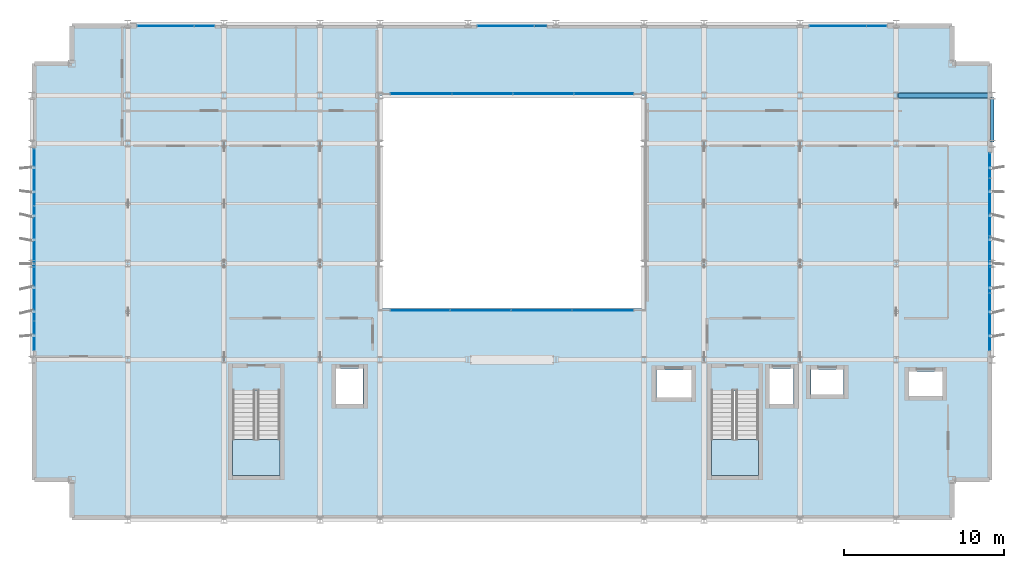
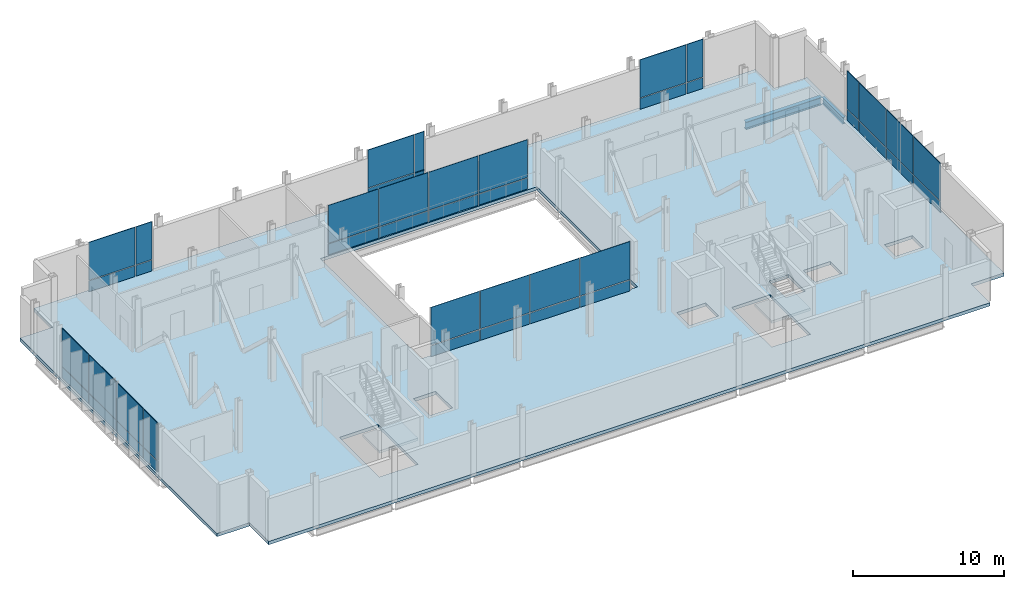
# One storey, part 23 of 32: 44 plates, 3 slabs, 2 beams, 1 member, 9 elements without a shape of their own.
"""IFC4 building model written with IfcOpenShell, lengths in metres."""

import ifcopenshell
import ifcopenshell.guid

model = None  # the IFC model being written
_history = None  # IfcOwnerHistory: only IFC2X3 demands one
_inside = {}  # id of a spatial element -> (the spatial element, [elements in it])
_under = {}  # id of a project, library or spatial element -> (it, [spatial elements below it])
_declared = {}  # id of a project -> (the project, [libraries it declares])
_typed = {}  # id of a type object -> (the type object, [elements of that type])
_made_of = {}  # id of a material, layer set ... -> (it, [elements and type objects made of it])


def new_model(schema):
    """Start an empty IFC model of exactly this schema.

    Asked for "IFC4X3", IfcOpenShell would pick the latest addendum, in which some entities
    have other attributes; the version numbers below select the first issue.
    IFC2X3 requires an IfcOwnerHistory on every rooted entity: one is made here for all.
    """
    global model, _history
    if schema == "IFC4X3":
        model = ifcopenshell.file(schema_version=(4, 3, 0, 0))
    else:
        model = ifcopenshell.file(schema=schema)
    _inside.clear()
    _under.clear()
    _declared.clear()
    _typed.clear()
    _made_of.clear()
    _history = None
    if model.schema == "IFC2X3":
        org = make("IfcOrganization", Name="unknown")
        user = make(
            "IfcPersonAndOrganization",
            ThePerson=make("IfcPerson", FamilyName="unknown"),
            TheOrganization=org,
        )
        app = make(
            "IfcApplication",
            ApplicationDeveloper=org,
            Version="unknown",
            ApplicationFullName="unknown",
            ApplicationIdentifier="unknown",
        )
        _history = make(
            "IfcOwnerHistory",
            OwningUser=user,
            OwningApplication=app,
            ChangeAction="ADDED",
            CreationDate=0,
        )
    return model


def make(cls, **values):
    """One entity of the class cls with the attributes given. An attribute that is None is left unset."""
    return model.create_entity(
        cls, **{name: value for name, value in values.items() if value is not None}
    )


def rooted(cls, **values):
    """An entity with a GlobalId (a new one), such as an element, a storey or a relation."""
    return make(cls, GlobalId=ifcopenshell.guid.new(), OwnerHistory=_history, **values)


def si_unit(unit_type, name, prefix=None):
    """IfcSIUnit, for example si_unit("LENGTHUNIT", "METRE", prefix="MILLI")."""
    return make("IfcSIUnit", UnitType=unit_type, Prefix=prefix, Name=name)


def assignment(units):
    """IfcUnitAssignment: the units of a project."""
    return None if units is None else make("IfcUnitAssignment", Units=units)


def point(xyz):
    """IfcCartesianPoint."""
    return None if xyz is None else make("IfcCartesianPoint", Coordinates=xyz)


def direction(xyz):
    """IfcDirection."""
    return None if xyz is None else make("IfcDirection", DirectionRatios=xyz)


def frame(location, z_axis=None, x_axis=None):
    """IfcAxis2Placement3D, a coordinate frame: its origin and axes. An axis left out is left unset."""
    return make(
        "IfcAxis2Placement3D",
        Location=point(location),
        Axis=direction(z_axis),
        RefDirection=direction(x_axis),
    )


def frame_2d(location, x_axis=None):
    """IfcAxis2Placement2D, a coordinate frame in the plane: its origin and x axis."""
    return make(
        "IfcAxis2Placement2D", Location=point(location), RefDirection=direction(x_axis)
    )


def origin():
    """The frame at (0, 0, 0) with its axes left unset."""
    return frame((0.0, 0.0, 0.0))


def origin_2d():
    """The frame at (0, 0) in the plane with its x axis left unset."""
    return frame_2d((0.0, 0.0))


def place(relative_to, where):
    """IfcLocalPlacement: puts the frame where relative to a parent placement (None: the world)."""
    return make(
        "IfcLocalPlacement", PlacementRelTo=relative_to, RelativePlacement=where
    )


def context(
    kind, dimensions, precision=None, world=None, true_north=None, identifier=None
):
    """IfcGeometricRepresentationContext, for example the 3D "Model" context."""
    return make(
        "IfcGeometricRepresentationContext",
        ContextIdentifier=identifier,
        ContextType=kind,
        CoordinateSpaceDimension=dimensions,
        Precision=precision,
        WorldCoordinateSystem=world,
        TrueNorth=true_north,
    )


def subcontext(parent, identifier, kind, view, scale=None):
    """IfcGeometricRepresentationSubContext, for example "Body" below "Model"."""
    return make(
        "IfcGeometricRepresentationSubContext",
        ContextIdentifier=identifier,
        ContextType=kind,
        ParentContext=parent,
        TargetScale=scale,
        TargetView=view,
    )


def project(units=None, contexts=None):
    """IfcProject with its units and contexts."""
    return rooted(
        "IfcProject",
        Name="project",
        RepresentationContexts=contexts,
        UnitsInContext=assignment(units),
    )


def spatial(cls, under=None, at=None, **own):
    """A site, building, storey or space (cls), placed at a placement, below another one or the project."""
    s = rooted(cls, ObjectPlacement=at, **own)
    if under is not None:
        _under.setdefault(under.id(), (under, []))[1].append(s)
    return s


def polyline(points):
    """IfcPolyline through the points."""
    return make("IfcPolyline", Points=[point(p) for p in points])


def profile(cls, at=None, kind="AREA", **sizes):
    """A parametric profile (cls). Its sizes go by their IFC names, for example OverallWidth=200.0."""
    return make(cls, ProfileType=kind, Position=at, **sizes)


def rectangle(**sizes):
    """IfcRectangleProfileDef."""
    return profile("IfcRectangleProfileDef", **sizes)


def hollow_rectangle(**sizes):
    """IfcRectangleHollowProfileDef."""
    return profile("IfcRectangleHollowProfileDef", **sizes)


def i_section(**sizes):
    """IfcIShapeProfileDef."""
    return profile("IfcIShapeProfileDef", **sizes)


def outline(outer, holes=None, kind="AREA"):
    """IfcArbitraryClosedProfileDef: a profile drawn as a closed curve; with holes, ...WithVoids."""
    if holes is None:
        return make("IfcArbitraryClosedProfileDef", ProfileType=kind, OuterCurve=outer)
    return make(
        "IfcArbitraryProfileDefWithVoids",
        ProfileType=kind,
        OuterCurve=outer,
        InnerCurves=holes,
    )


def extrude(swept, where, along, depth):
    """IfcExtrudedAreaSolid: the profile swept, set in the frame where, extruded along a direction by depth."""
    return make(
        "IfcExtrudedAreaSolid",
        SweptArea=swept,
        Position=where,
        ExtrudedDirection=direction(along),
        Depth=depth,
    )


def shape(context_of_items, identifier, shape_type, items):
    """IfcShapeRepresentation: the items that make up one representation, for example the "Body"."""
    return make(
        "IfcShapeRepresentation",
        ContextOfItems=context_of_items,
        RepresentationIdentifier=identifier,
        RepresentationType=shape_type,
        Items=items,
    )


def material(Name=None, Category=None):
    """IfcMaterial."""
    return make("IfcMaterial", Name=Name, Category=Category)


def layer(
    of_material, thickness, ventilated=None, Name=None, Category=None, Priority=None
):
    """IfcMaterialLayer: one layer of a wall or slab, of a material (None: an air gap)."""
    return make(
        "IfcMaterialLayer",
        Material=of_material,
        LayerThickness=thickness,
        IsVentilated=ventilated,
        Name=Name,
        Category=Category,
        Priority=Priority,
    )


def layer_set(layers, Name=None):
    """IfcMaterialLayerSet."""
    return make("IfcMaterialLayerSet", MaterialLayers=layers, LayerSetName=Name)


def material_profile(
    of_material, cross_section, Name=None, Category=None, Priority=None
):
    """IfcMaterialProfile: a cross section and its material."""
    return make(
        "IfcMaterialProfile",
        Name=Name,
        Material=of_material,
        Profile=cross_section,
        Priority=Priority,
        Category=Category,
    )


def profile_set(profiles, Name=None, composite=None):
    """IfcMaterialProfileSet."""
    return make(
        "IfcMaterialProfileSet",
        Name=Name,
        MaterialProfiles=profiles,
        CompositeProfile=composite,
    )


def made_of(thing, what):
    """Note that an element or type object is made of a material, layer set ...; save() writes the relation."""
    if what is not None:
        _made_of.setdefault(what.id(), (what, []))[1].append(thing)
    return thing


def type_object(cls, material=None, **own):
    """A type object (cls), such as IfcWallType, which elements share."""
    return made_of(rooted(cls, **own), material)


def element(
    cls,
    number,
    at=None,
    inside=None,
    cuts=None,
    type_object=None,
    material=None,
    context=None,
    identifier="Body",
    shape_type=None,
    held_by="IfcProductDefinitionShape",
    body=None,
    shapes=None,
    **own,
):
    """One element of the class cls, such as IfcWall. Its Tag is "e" and its number.

    at: its placement. inside: the storey or other place that contains it. cuts: it is an
    opening in that element (IfcRelVoidsElement). A single representation is given by context,
    identifier, shape_type and body (its items); several are given by shapes. held_by: the class
    of the entity that holds the representations. save() writes the other relations.
    """
    e = rooted(cls, Tag="e%d" % number, ObjectPlacement=at, **own)
    if body is not None:
        shapes = [shape(context, identifier, shape_type, body)]
    if shapes is not None:
        e.Representation = make(held_by, Representations=shapes)
    if inside is not None:
        _inside.setdefault(inside.id(), (inside, []))[1].append(e)
    if cuts is not None:
        rooted(
            "IfcRelVoidsElement", RelatingBuildingElement=cuts, RelatedOpeningElement=e
        )
    if type_object is not None:
        _typed.setdefault(type_object.id(), (type_object, []))[1].append(e)
    return made_of(e, material)


def aggregate(whole, parts):
    """IfcRelAggregates: a whole, such as a stair, and the parts it consists of."""
    return rooted("IfcRelAggregates", RelatingObject=whole, RelatedObjects=parts)


def save(model, path):
    """Write the relations noted so far, then the file.

    IfcRelAggregates (storeys below a building ...), IfcRelContainedInSpatialStructure (elements
    in a storey), IfcRelDefinesByType, IfcRelAssociatesMaterial and IfcRelDeclares: one each for
    every whole, place, type object, material and project.
    """
    for whole, parts in _under.values():
        aggregate(whole, parts)
    for where, things in _inside.values():
        rooted(
            "IfcRelContainedInSpatialStructure",
            RelatedElements=things,
            RelatingStructure=where,
        )
    for kind, things in _typed.values():
        rooted("IfcRelDefinesByType", RelatedObjects=things, RelatingType=kind)
    for what, things in _made_of.values():
        rooted("IfcRelAssociatesMaterial", RelatedObjects=things, RelatingMaterial=what)
    for by, libraries in _declared.values():
        rooted("IfcRelDeclares", RelatingContext=by, RelatedDefinitions=libraries)
    model.write(path)


model = new_model("IFC4")

# Units and contexts
model_context = context("Model", 3, precision=1e-05, world=origin(), true_north=direction((0.0, 1.0)))
body_context = subcontext(model_context, "Body", "Model", "MODEL_VIEW")
ifc_project = project(units=[si_unit("LENGTHUNIT", "METRE"), si_unit("AREAUNIT", "SQUARE_METRE"), si_unit("VOLUMEUNIT", "CUBIC_METRE"), si_unit("PLANEANGLEUNIT", "RADIAN"), si_unit("MASSUNIT", "GRAM", prefix="KILO")], contexts=[model_context])

# Site, building, storey
site_placement = place(None, origin())
site = spatial("IfcSite", under=ifc_project, at=site_placement, CompositionType="ELEMENT")
building_placement = place(site_placement, origin())
building = spatial("IfcBuilding", under=site, at=building_placement, Name="Brevholm Reach", CompositionType="ELEMENT")
storey_placement = place(building_placement, frame((0.0, 0.0, 96.199951171875)))
storey = spatial("IfcBuildingStorey", under=building, at=storey_placement, Name="L28", CompositionType="ELEMENT", Elevation=96.199951171875)

# Beams
ifc_material_1 = material(Name="Structural Steel S355J2", Category="steel")
ifc_material_profile_1 = material_profile(ifc_material_1, i_section(OverallWidth=0.210693359375, OverallDepth=0.53955078125, WebThickness=0.01171875, FlangeThickness=0.018798828125, FilletRadius=0.0126953125, at=origin_2d()), Name="UKB 533x210x109")
ifc_profile_set_1 = profile_set([ifc_material_profile_1], Name="Structural Steel S355J2")
beam_type_1 = type_object("IfcBeamType", Name="BM-SP539", PredefinedType="SPANDREL", material=ifc_profile_set_1)
beam_1_placement = place(storey_placement, frame((60.0, 23.6201171875, -0.52978515625), z_axis=(0.0, 1.0, 0.0), x_axis=(-1.0, 0.0, 0.0)))
element("IfcBeam", 1, at=beam_1_placement, inside=storey, type_object=beam_type_1, Name="L28 SP-01B Framing Beam", PredefinedType="SPANDREL", context=body_context, shape_type="SweptSolid", body=[
    extrude(i_section(OverallWidth=0.210693359375, OverallDepth=0.53955078125, WebThickness=0.01171875, FlangeThickness=0.018798828125, FilletRadius=0.0126953125, at=origin_2d()), origin(), (0.0, 0.0, 1.0), 2.759765625),
])
ifc_material_2 = material(Name="Structural Steel S355J2", Category="steel")
ifc_material_profile_2 = material_profile(ifc_material_2, i_section(OverallWidth=0.30712890625, OverallDepth=0.6201171875, WebThickness=0.01416015625, FlangeThickness=0.023681640625, FilletRadius=0.0166015625, at=origin_2d()), Name="UKB 610x305x179")
ifc_profile_set_2 = profile_set([ifc_material_profile_2], Name="Structural Steel S355J2")
beam_type_2 = type_object("IfcBeamType", Name="BM-UKB610H", PredefinedType="USERDEFINED", material=ifc_profile_set_2)
beam_2_placement = place(storey_placement, frame((54.1201171875, 26.5, -0.570068359375), z_axis=(1.0, 0.0, 0.0), x_axis=(0.0, 1.0, 0.0)))
element("IfcBeam", 2, at=beam_2_placement, inside=storey, type_object=beam_type_2, Name="L28 G-06 Framing Beam", ObjectType="GIRDER", PredefinedType="USERDEFINED", context=body_context, shape_type="SweptSolid", body=[
    extrude(i_section(OverallWidth=0.30712890625, OverallDepth=0.6201171875, WebThickness=0.01416015625, FlangeThickness=0.023681640625, FilletRadius=0.0166015625, at=origin_2d()), origin(), (0.0, 0.0, 1.0), 5.759765625),
])

# Curtain wall, member
ifc_material_3 = material(Name="Dark Anodised Aluminium 6063-T6 and Solar-Control Glass", Category="aluminium")
ifc_layer_1 = layer(ifc_material_3, 0.1201171875)
ifc_layer_set_1 = layer_set([ifc_layer_1], Name="Dark Anodised Aluminium 6063-T6 and Solar-Control Glass")
curtain_wall_type_1 = type_object("IfcCurtainWallType", Name="CW-06", PredefinedType="NOTDEFINED", material=ifc_layer_set_1)
curtain_wall_1_placement = place(storey_placement, origin())
curtain_wall_1 = element("IfcCurtainWall", 3, at=curtain_wall_1_placement, inside=storey, type_object=curtain_wall_type_1, Name="L28 Curtain Wall CW-06", PredefinedType="NOTDEFINED")
ifc_material_4 = material(Name="Dark Anodised Aluminium 6063-T6", Category="aluminium")
ifc_material_profile_3 = material_profile(ifc_material_4, hollow_rectangle(XDim=0.054931640625, YDim=0.1201171875, WallThickness=0.00390625, InnerFilletRadius=0.00390625, OuterFilletRadius=0.008056640625, at=origin_2d()), Name="RHS 120x55x4")
ifc_profile_set_3 = profile_set([ifc_material_profile_3], Name="Dark Anodised Aluminium 6063-T6")
member_type = type_object("IfcMemberType", Name="CWT-120", PredefinedType="NOTDEFINED", material=ifc_profile_set_3)
member_placement = place(storey_placement, frame((31.427490234375, 30.85009765625, 0.900146484375), z_axis=(1.0, 0.0, 0.0), x_axis=(0.0, 0.0, 1.0)))
member = element("IfcMember", 4, at=member_placement, type_object=member_type, Name="CT-120 Transom 2.1", ObjectType="TRANSOM", PredefinedType="USERDEFINED", context=body_context, shape_type="SweptSolid", body=[
    extrude(hollow_rectangle(XDim=0.054931640625, YDim=0.1201171875, WallThickness=0.00390625, InnerFilletRadius=0.00390625, OuterFilletRadius=0.008056640625, at=origin_2d()), origin(), (0.0, 0.0, 1.0), 0.717529296875),
])

# Curtain wall, plates
ifc_material_5 = material(Name="Dark Anodised Aluminium 6063-T6 and Solar-Control Glass", Category="aluminium")
ifc_layer_2 = layer(ifc_material_5, 0.139892578125)
ifc_layer_set_2 = layer_set([ifc_layer_2], Name="Dark Anodised Aluminium 6063-T6 and Solar-Control Glass")
curtain_wall_type_2 = type_object("IfcCurtainWallType", Name="CW-02", PredefinedType="NOTDEFINED", material=ifc_layer_set_2)
curtain_wall_2_placement = place(storey_placement, origin())
curtain_wall_2 = element("IfcCurtainWall", 5, at=curtain_wall_2_placement, inside=storey, type_object=curtain_wall_type_2, Name="L28 Curtain Wall CW-02", PredefinedType="NOTDEFINED")
ifc_material_6 = material(Name="Low-Iron Laminated Acoustic Glass", Category="glass")
ifc_layer_3 = layer(ifc_material_6, 0.035888671875)
ifc_layer_set_3 = layer_set([ifc_layer_3], Name="Low-Iron Laminated Acoustic Glass")
plate_type_1 = type_object("IfcPlateType", Name="CWP-GLZ-36", PredefinedType="CURTAIN_PANEL", material=ifc_layer_set_3)
plate_1_placement = place(storey_placement, frame((24.264892578125, 13.080078125, 0.0), z_axis=(0.0, 0.0, 1.0), x_axis=(1.0, 0.0, 0.0)))
plate_1 = element("IfcPlate", 6, at=plate_1_placement, type_object=plate_type_1, Name="CP-02 Glazing Panel 1.1", PredefinedType="CURTAIN_PANEL", context=body_context, shape_type="SweptSolid", body=[
    extrude(rectangle(XDim=3.7099609375, YDim=0.035888671875, at=origin_2d()), origin(), (0.0, 0.0, 1.0), 0.8701171875),
])
plate_2_placement = place(storey_placement, frame((24.264892578125, 13.080078125, 0.93017578125), z_axis=(0.0, 0.0, 1.0), x_axis=(1.0, 0.0, 0.0)))
plate_2 = element("IfcPlate", 7, at=plate_2_placement, type_object=plate_type_1, Name="CP-02 Glazing Panel 1.2", PredefinedType="CURTAIN_PANEL", context=body_context, shape_type="SweptSolid", body=[
    extrude(rectangle(XDim=3.7099609375, YDim=0.035888671875, at=origin_2d()), origin(), (0.0, 0.0, 1.0), 3.050048828125),
])
plate_3_placement = place(storey_placement, frame((28.050048828125, 13.080078125, 0.0), z_axis=(0.0, 0.0, 1.0), x_axis=(1.0, 0.0, 0.0)))
plate_3 = element("IfcPlate", 8, at=plate_3_placement, type_object=plate_type_1, Name="CP-02 Glazing Panel 2.1", PredefinedType="CURTAIN_PANEL", context=body_context, shape_type="SweptSolid", body=[
    extrude(rectangle(XDim=3.739990234375, YDim=0.035888671875, at=origin_2d()), origin(), (0.0, 0.0, 1.0), 0.8701171875),
])
plate_4_placement = place(storey_placement, frame((28.050048828125, 13.080078125, 0.93017578125), z_axis=(0.0, 0.0, 1.0), x_axis=(1.0, 0.0, 0.0)))
plate_4 = element("IfcPlate", 9, at=plate_4_placement, type_object=plate_type_1, Name="CP-02 Glazing Panel 2.2", PredefinedType="CURTAIN_PANEL", context=body_context, shape_type="SweptSolid", body=[
    extrude(rectangle(XDim=3.739990234375, YDim=0.035888671875, at=origin_2d()), origin(), (0.0, 0.0, 1.0), 3.050048828125),
])
plate_5_placement = place(storey_placement, frame((31.85009765625, 13.080078125, 0.0), z_axis=(0.0, 0.0, 1.0), x_axis=(1.0, 0.0, 0.0)))
plate_5 = element("IfcPlate", 10, at=plate_5_placement, type_object=plate_type_1, Name="CP-02 Glazing Panel 3.1", PredefinedType="CURTAIN_PANEL", context=body_context, shape_type="SweptSolid", body=[
    extrude(rectangle(XDim=3.739990234375, YDim=0.035888671875, at=origin_2d()), origin(), (0.0, 0.0, 1.0), 0.8701171875),
])
plate_6_placement = place(storey_placement, frame((31.85009765625, 13.080078125, 0.93017578125), z_axis=(0.0, 0.0, 1.0), x_axis=(1.0, 0.0, 0.0)))
plate_6 = element("IfcPlate", 11, at=plate_6_placement, type_object=plate_type_1, Name="CP-02 Glazing Panel 3.2", PredefinedType="CURTAIN_PANEL", context=body_context, shape_type="SweptSolid", body=[
    extrude(rectangle(XDim=3.739990234375, YDim=0.035888671875, at=origin_2d()), origin(), (0.0, 0.0, 1.0), 3.050048828125),
])
plate_7_placement = place(storey_placement, frame((35.68505859375, 13.080078125, 0.0), z_axis=(0.0, 0.0, 1.0), x_axis=(1.0, 0.0, 0.0)))
plate_7 = element("IfcPlate", 12, at=plate_7_placement, type_object=plate_type_1, Name="CP-02 Glazing Panel 4.1", PredefinedType="CURTAIN_PANEL", context=body_context, shape_type="SweptSolid", body=[
    extrude(rectangle(XDim=3.81005859375, YDim=0.035888671875, at=origin_2d()), origin(), (0.0, 0.0, 1.0), 0.8701171875),
])
plate_8_placement = place(storey_placement, frame((35.68505859375, 13.080078125, 0.93017578125), z_axis=(0.0, 0.0, 1.0), x_axis=(1.0, 0.0, 0.0)))
plate_8 = element("IfcPlate", 13, at=plate_8_placement, type_object=plate_type_1, Name="CP-02 Glazing Panel 4.2", PredefinedType="CURTAIN_PANEL", context=body_context, shape_type="SweptSolid", body=[
    extrude(rectangle(XDim=3.81005859375, YDim=0.035888671875, at=origin_2d()), origin(), (0.0, 0.0, 1.0), 3.050048828125),
])
aggregate(curtain_wall_2, [plate_1, plate_2, plate_3, plate_4, plate_5, plate_6, plate_7, plate_8])

curtain_wall_3_placement = place(storey_placement, origin())
curtain_wall_3 = element("IfcCurtainWall", 14, at=curtain_wall_3_placement, inside=storey, type_object=curtain_wall_type_2, Name="L28 Curtain Wall CW-02", PredefinedType="NOTDEFINED")
plate_9_placement = place(storey_placement, frame((35.735107421875, 26.6201171875, 0.0), z_axis=(0.0, 0.0, 1.0), x_axis=(-1.0, 0.0, 0.0)))
plate_9 = element("IfcPlate", 15, at=plate_9_placement, type_object=plate_type_1, Name="CP-02 Glazing Panel 1.1", PredefinedType="CURTAIN_PANEL", context=body_context, shape_type="SweptSolid", body=[
    extrude(rectangle(XDim=3.7099609375, YDim=0.035888671875, at=origin_2d()), origin(), (0.0, 0.0, 1.0), 0.8701171875),
])
plate_10_placement = place(storey_placement, frame((35.735107421875, 26.6201171875, 0.93017578125), z_axis=(0.0, 0.0, 1.0), x_axis=(-1.0, 0.0, 0.0)))
plate_10 = element("IfcPlate", 16, at=plate_10_placement, type_object=plate_type_1, Name="CP-02 Glazing Panel 1.2", PredefinedType="CURTAIN_PANEL", context=body_context, shape_type="SweptSolid", body=[
    extrude(rectangle(XDim=3.7099609375, YDim=0.035888671875, at=origin_2d()), origin(), (0.0, 0.0, 1.0), 3.050048828125),
])
plate_11_placement = place(storey_placement, frame((31.949951171875, 26.6201171875, 0.0), z_axis=(0.0, 0.0, 1.0), x_axis=(-1.0, 0.0, 0.0)))
plate_11 = element("IfcPlate", 17, at=plate_11_placement, type_object=plate_type_1, Name="CP-02 Glazing Panel 2.1", PredefinedType="CURTAIN_PANEL", context=body_context, shape_type="SweptSolid", body=[
    extrude(rectangle(XDim=3.739990234375, YDim=0.035888671875, at=origin_2d()), origin(), (0.0, 0.0, 1.0), 0.8701171875),
])
plate_12_placement = place(storey_placement, frame((31.949951171875, 26.6201171875, 0.93017578125), z_axis=(0.0, 0.0, 1.0), x_axis=(-1.0, 0.0, 0.0)))
plate_12 = element("IfcPlate", 18, at=plate_12_placement, type_object=plate_type_1, Name="CP-02 Glazing Panel 2.2", PredefinedType="CURTAIN_PANEL", context=body_context, shape_type="SweptSolid", body=[
    extrude(rectangle(XDim=3.739990234375, YDim=0.035888671875, at=origin_2d()), origin(), (0.0, 0.0, 1.0), 3.050048828125),
])
plate_13_placement = place(storey_placement, frame((28.14990234375, 26.6201171875, 0.0), z_axis=(0.0, 0.0, 1.0), x_axis=(-1.0, 0.0, 0.0)))
plate_13 = element("IfcPlate", 19, at=plate_13_placement, type_object=plate_type_1, Name="CP-02 Glazing Panel 3.1", PredefinedType="CURTAIN_PANEL", context=body_context, shape_type="SweptSolid", body=[
    extrude(rectangle(XDim=3.739990234375, YDim=0.035888671875, at=origin_2d()), origin(), (0.0, 0.0, 1.0), 0.8701171875),
])
plate_14_placement = place(storey_placement, frame((28.14990234375, 26.6201171875, 0.93017578125), z_axis=(0.0, 0.0, 1.0), x_axis=(-1.0, 0.0, 0.0)))
plate_14 = element("IfcPlate", 20, at=plate_14_placement, type_object=plate_type_1, Name="CP-02 Glazing Panel 3.2", PredefinedType="CURTAIN_PANEL", context=body_context, shape_type="SweptSolid", body=[
    extrude(rectangle(XDim=3.739990234375, YDim=0.035888671875, at=origin_2d()), origin(), (0.0, 0.0, 1.0), 3.050048828125),
])
plate_15_placement = place(storey_placement, frame((24.31494140625, 26.6201171875, 0.0), z_axis=(0.0, 0.0, 1.0), x_axis=(-1.0, 0.0, 0.0)))
plate_15 = element("IfcPlate", 21, at=plate_15_placement, type_object=plate_type_1, Name="CP-02 Glazing Panel 4.1", PredefinedType="CURTAIN_PANEL", context=body_context, shape_type="SweptSolid", body=[
    extrude(rectangle(XDim=3.81005859375, YDim=0.035888671875, at=origin_2d()), origin(), (0.0, 0.0, 1.0), 0.8701171875),
])
plate_16_placement = place(storey_placement, frame((24.31494140625, 26.6201171875, 0.93017578125), z_axis=(0.0, 0.0, 1.0), x_axis=(-1.0, 0.0, 0.0)))
plate_16 = element("IfcPlate", 22, at=plate_16_placement, type_object=plate_type_1, Name="CP-02 Glazing Panel 4.2", PredefinedType="CURTAIN_PANEL", context=body_context, shape_type="SweptSolid", body=[
    extrude(rectangle(XDim=3.81005859375, YDim=0.035888671875, at=origin_2d()), origin(), (0.0, 0.0, 1.0), 3.050048828125),
])
aggregate(curtain_wall_3, [plate_9, plate_10, plate_11, plate_12, plate_13, plate_14, plate_15, plate_16])

curtain_wall_4_placement = place(storey_placement, origin())
curtain_wall_4 = element("IfcCurtainWall", 23, at=curtain_wall_4_placement, inside=storey, type_object=curtain_wall_type_1, Name="L28 Curtain Wall CW-06", PredefinedType="NOTDEFINED")
ifc_material_7 = material(Name="Champagne-Bronze Anodised Aluminium Acoustic Louvre", Category="aluminium")
ifc_layer_4 = layer(ifc_material_7, 0.052001953125)
ifc_layer_set_4 = layer_set([ifc_layer_4], Name="Champagne-Bronze Anodised Aluminium Acoustic Louvre")
plate_type_2 = type_object("IfcPlateType", Name="CWP-LVR-52", PredefinedType="CURTAIN_PANEL", material=ifc_layer_set_4)
plate_17_placement = place(storey_placement, frame((0.14990234375, 21.40625, 0.0), z_axis=(0.0, 0.0, 1.0), x_axis=(0.0, -1.0, 0.0)))
plate_17 = element("IfcPlate", 24, at=plate_17_placement, type_object=plate_type_2, Name="CP-04 Glazing Panel 1.1", PredefinedType="CURTAIN_PANEL", context=body_context, shape_type="SweptSolid", body=[
    extrude(rectangle(XDim=3.517578125, YDim=0.052001953125, at=origin_2d()), origin(), (0.0, 0.0, 1.0), 0.87255859375),
])
plate_18_placement = place(storey_placement, frame((0.14990234375, 21.40625, 0.927734375), z_axis=(0.0, 0.0, 1.0), x_axis=(0.0, -1.0, 0.0)))
plate_18 = element("IfcPlate", 25, at=plate_18_placement, type_object=plate_type_2, Name="CP-04 Glazing Panel 1.2", PredefinedType="CURTAIN_PANEL", context=body_context, shape_type="SweptSolid", body=[
    extrude(rectangle(XDim=3.517578125, YDim=0.052001953125, at=origin_2d()), origin(), (0.0, 0.0, 1.0), 3.052490234375),
])
plate_19_placement = place(storey_placement, frame((0.14990234375, 17.820068359375, 0.0), z_axis=(0.0, 0.0, 1.0), x_axis=(0.0, -1.0, 0.0)))
plate_19 = element("IfcPlate", 26, at=plate_19_placement, type_object=plate_type_2, Name="CP-04 Glazing Panel 2.1", PredefinedType="CURTAIN_PANEL", context=body_context, shape_type="SweptSolid", body=[
    extrude(rectangle(XDim=3.544921875, YDim=0.052001953125, at=origin_2d()), origin(), (0.0, 0.0, 1.0), 0.87255859375),
])
plate_20_placement = place(storey_placement, frame((0.14990234375, 17.820068359375, 0.927734375), z_axis=(0.0, 0.0, 1.0), x_axis=(0.0, -1.0, 0.0)))
plate_20 = element("IfcPlate", 27, at=plate_20_placement, type_object=plate_type_2, Name="CP-04 Glazing Panel 2.2", PredefinedType="CURTAIN_PANEL", context=body_context, shape_type="SweptSolid", body=[
    extrude(rectangle(XDim=3.544921875, YDim=0.052001953125, at=origin_2d()), origin(), (0.0, 0.0, 1.0), 3.052490234375),
])
plate_21_placement = place(storey_placement, frame((0.14990234375, 14.219970703125, 0.0), z_axis=(0.0, 0.0, 1.0), x_axis=(0.0, -1.0, 0.0)))
plate_21 = element("IfcPlate", 28, at=plate_21_placement, type_object=plate_type_2, Name="CP-04 Glazing Panel 3.1", PredefinedType="CURTAIN_PANEL", context=body_context, shape_type="SweptSolid", body=[
    extrude(rectangle(XDim=3.544921875, YDim=0.052001953125, at=origin_2d()), origin(), (0.0, 0.0, 1.0), 0.87255859375),
])
plate_22_placement = place(storey_placement, frame((0.14990234375, 14.219970703125, 0.927734375), z_axis=(0.0, 0.0, 1.0), x_axis=(0.0, -1.0, 0.0)))
plate_22 = element("IfcPlate", 29, at=plate_22_placement, type_object=plate_type_2, Name="CP-04 Glazing Panel 3.2", PredefinedType="CURTAIN_PANEL", context=body_context, shape_type="SweptSolid", body=[
    extrude(rectangle(XDim=3.544921875, YDim=0.052001953125, at=origin_2d()), origin(), (0.0, 0.0, 1.0), 3.052490234375),
])
plate_23_placement = place(storey_placement, frame((0.14990234375, 11.498779296875, 0.0), z_axis=(0.0, 0.0, 1.0), x_axis=(0.0, -1.0, 0.0)))
plate_23 = element("IfcPlate", 30, at=plate_23_placement, type_object=plate_type_2, Name="CP-04 Glazing Panel 4.1", PredefinedType="CURTAIN_PANEL", context=body_context, shape_type="SweptSolid", body=[
    extrude(rectangle(XDim=1.78759765625, YDim=0.052001953125, at=origin_2d()), origin(), (0.0, 0.0, 1.0), 0.87255859375),
])
plate_24_placement = place(storey_placement, frame((0.14990234375, 11.498779296875, 0.927734375), z_axis=(0.0, 0.0, 1.0), x_axis=(0.0, -1.0, 0.0)))
plate_24 = element("IfcPlate", 31, at=plate_24_placement, type_object=plate_type_2, Name="CP-04 Glazing Panel 4.2", PredefinedType="CURTAIN_PANEL", context=body_context, shape_type="SweptSolid", body=[
    extrude(rectangle(XDim=1.78759765625, YDim=0.052001953125, at=origin_2d()), origin(), (0.0, 0.0, 1.0), 3.052490234375),
])
aggregate(curtain_wall_4, [plate_17, plate_18, plate_19, plate_20, plate_21, plate_22, plate_23, plate_24])

curtain_wall_5_placement = place(storey_placement, origin())
curtain_wall_5 = element("IfcCurtainWall", 32, at=curtain_wall_5_placement, inside=storey, type_object=curtain_wall_type_1, Name="L28 Curtain Wall CW-06", PredefinedType="NOTDEFINED")
plate_25_placement = place(storey_placement, frame((59.85009765625, 12.36376953125, 0.0), z_axis=(0.0, 0.0, 1.0), x_axis=(0.0, 1.0, 0.0)))
plate_25 = element("IfcPlate", 33, at=plate_25_placement, type_object=plate_type_2, Name="CP-04 Glazing Panel 1.1", PredefinedType="CURTAIN_PANEL", context=body_context, shape_type="SweptSolid", body=[
    extrude(rectangle(XDim=3.517578125, YDim=0.052001953125, at=origin_2d()), origin(), (0.0, 0.0, 1.0), 0.87255859375),
])
plate_26_placement = place(storey_placement, frame((59.85009765625, 12.36376953125, 0.927734375), z_axis=(0.0, 0.0, 1.0), x_axis=(0.0, 1.0, 0.0)))
plate_26 = element("IfcPlate", 34, at=plate_26_placement, type_object=plate_type_2, Name="CP-04 Glazing Panel 1.2", PredefinedType="CURTAIN_PANEL", context=body_context, shape_type="SweptSolid", body=[
    extrude(rectangle(XDim=3.517578125, YDim=0.052001953125, at=origin_2d()), origin(), (0.0, 0.0, 1.0), 3.052490234375),
])
plate_27_placement = place(storey_placement, frame((59.85009765625, 15.949951171875, 0.0), z_axis=(0.0, 0.0, 1.0), x_axis=(0.0, 1.0, 0.0)))
plate_27 = element("IfcPlate", 35, at=plate_27_placement, type_object=plate_type_2, Name="CP-04 Glazing Panel 2.1", PredefinedType="CURTAIN_PANEL", context=body_context, shape_type="SweptSolid", body=[
    extrude(rectangle(XDim=3.544921875, YDim=0.052001953125, at=origin_2d()), origin(), (0.0, 0.0, 1.0), 0.87255859375),
])
plate_28_placement = place(storey_placement, frame((59.85009765625, 15.949951171875, 0.927734375), z_axis=(0.0, 0.0, 1.0), x_axis=(0.0, 1.0, 0.0)))
plate_28 = element("IfcPlate", 36, at=plate_28_placement, type_object=plate_type_2, Name="CP-04 Glazing Panel 2.2", PredefinedType="CURTAIN_PANEL", context=body_context, shape_type="SweptSolid", body=[
    extrude(rectangle(XDim=3.544921875, YDim=0.052001953125, at=origin_2d()), origin(), (0.0, 0.0, 1.0), 3.052490234375),
])
plate_29_placement = place(storey_placement, frame((59.85009765625, 19.550048828125, 0.0), z_axis=(0.0, 0.0, 1.0), x_axis=(0.0, 1.0, 0.0)))
plate_29 = element("IfcPlate", 37, at=plate_29_placement, type_object=plate_type_2, Name="CP-04 Glazing Panel 3.1", PredefinedType="CURTAIN_PANEL", context=body_context, shape_type="SweptSolid", body=[
    extrude(rectangle(XDim=3.544921875, YDim=0.052001953125, at=origin_2d()), origin(), (0.0, 0.0, 1.0), 0.87255859375),
])
plate_30_placement = place(storey_placement, frame((59.85009765625, 19.550048828125, 0.927734375), z_axis=(0.0, 0.0, 1.0), x_axis=(0.0, 1.0, 0.0)))
plate_30 = element("IfcPlate", 38, at=plate_30_placement, type_object=plate_type_2, Name="CP-04 Glazing Panel 3.2", PredefinedType="CURTAIN_PANEL", context=body_context, shape_type="SweptSolid", body=[
    extrude(rectangle(XDim=3.544921875, YDim=0.052001953125, at=origin_2d()), origin(), (0.0, 0.0, 1.0), 3.052490234375),
])
plate_31_placement = place(storey_placement, frame((59.85009765625, 22.13623046875, 0.0), z_axis=(0.0, 0.0, 1.0), x_axis=(0.0, 1.0, 0.0)))
plate_31 = element("IfcPlate", 39, at=plate_31_placement, type_object=plate_type_2, Name="CP-04 Glazing Panel 4.1", PredefinedType="CURTAIN_PANEL", context=body_context, shape_type="SweptSolid", body=[
    extrude(rectangle(XDim=1.517578125, YDim=0.052001953125, at=origin_2d()), origin(), (0.0, 0.0, 1.0), 0.87255859375),
])
plate_32_placement = place(storey_placement, frame((59.85009765625, 22.13623046875, 0.927734375), z_axis=(0.0, 0.0, 1.0), x_axis=(0.0, 1.0, 0.0)))
plate_32 = element("IfcPlate", 40, at=plate_32_placement, type_object=plate_type_2, Name="CP-04 Glazing Panel 4.2", PredefinedType="CURTAIN_PANEL", context=body_context, shape_type="SweptSolid", body=[
    extrude(rectangle(XDim=1.517578125, YDim=0.052001953125, at=origin_2d()), origin(), (0.0, 0.0, 1.0), 3.052490234375),
])
aggregate(curtain_wall_5, [plate_25, plate_26, plate_27, plate_28, plate_29, plate_30, plate_31, plate_32])

curtain_wall_6_placement = place(storey_placement, origin())
curtain_wall_6 = element("IfcCurtainWall", 41, at=curtain_wall_6_placement, inside=storey, type_object=curtain_wall_type_1, Name="L28 Curtain Wall CW-06", PredefinedType="NOTDEFINED")
plate_33_placement = place(storey_placement, frame((8.36376953125, 30.85009765625, 0.0), z_axis=(0.0, 0.0, 1.0), x_axis=(1.0, 0.0, 0.0)))
plate_33 = element("IfcPlate", 42, at=plate_33_placement, type_object=plate_type_2, Name="CP-04 Glazing Panel 1.1", PredefinedType="CURTAIN_PANEL", context=body_context, shape_type="SweptSolid", body=[
    extrude(rectangle(XDim=3.517578125, YDim=0.052001953125, at=origin_2d()), origin(), (0.0, 0.0, 1.0), 0.87255859375),
])
plate_34_placement = place(storey_placement, frame((8.36376953125, 30.85009765625, 0.927734375), z_axis=(0.0, 0.0, 1.0), x_axis=(1.0, 0.0, 0.0)))
plate_34 = element("IfcPlate", 43, at=plate_34_placement, type_object=plate_type_2, Name="CP-04 Glazing Panel 1.2", PredefinedType="CURTAIN_PANEL", context=body_context, shape_type="SweptSolid", body=[
    extrude(rectangle(XDim=3.517578125, YDim=0.052001953125, at=origin_2d()), origin(), (0.0, 0.0, 1.0), 3.052490234375),
])
plate_35_placement = place(storey_placement, frame((10.7861328125, 30.85009765625, 0.0), z_axis=(0.0, 0.0, 1.0), x_axis=(1.0, 0.0, 0.0)))
plate_35 = element("IfcPlate", 44, at=plate_35_placement, type_object=plate_type_2, Name="CP-04 Glazing Panel 2.1", PredefinedType="CURTAIN_PANEL", context=body_context, shape_type="SweptSolid", body=[
    extrude(rectangle(XDim=1.217529296875, YDim=0.052001953125, at=origin_2d()), origin(), (0.0, 0.0, 1.0), 0.87255859375),
])
plate_36_placement = place(storey_placement, frame((10.7861328125, 30.85009765625, 0.927734375), z_axis=(0.0, 0.0, 1.0), x_axis=(1.0, 0.0, 0.0)))
plate_36 = element("IfcPlate", 45, at=plate_36_placement, type_object=plate_type_2, Name="CP-04 Glazing Panel 2.2", PredefinedType="CURTAIN_PANEL", context=body_context, shape_type="SweptSolid", body=[
    extrude(rectangle(XDim=1.217529296875, YDim=0.052001953125, at=origin_2d()), origin(), (0.0, 0.0, 1.0), 3.052490234375),
])
aggregate(curtain_wall_6, [plate_33, plate_34, plate_35, plate_36])

# Plate
plate_37_placement = place(storey_placement, frame((29.61376953125, 30.85009765625, 0.0), z_axis=(0.0, 0.0, 1.0), x_axis=(1.0, 0.0, 0.0)))
plate_37 = element("IfcPlate", 46, at=plate_37_placement, type_object=plate_type_2, Name="CP-04 Glazing Panel 1.1", PredefinedType="CURTAIN_PANEL", context=body_context, shape_type="SweptSolid", body=[
    extrude(rectangle(XDim=3.517578125, YDim=0.052001953125, at=origin_2d()), origin(), (0.0, 0.0, 1.0), 0.87255859375),
])

plate_38_placement = place(storey_placement, frame((29.61376953125, 30.85009765625, 0.927734375), z_axis=(0.0, 0.0, 1.0), x_axis=(1.0, 0.0, 0.0)))
plate_38 = element("IfcPlate", 47, at=plate_38_placement, type_object=plate_type_2, Name="CP-04 Glazing Panel 1.2", PredefinedType="CURTAIN_PANEL", context=body_context, shape_type="SweptSolid", body=[
    extrude(rectangle(XDim=3.517578125, YDim=0.052001953125, at=origin_2d()), origin(), (0.0, 0.0, 1.0), 3.052490234375),
])

plate_39_placement = place(storey_placement, frame((31.7861328125, 30.85009765625, 0.0), z_axis=(0.0, 0.0, 1.0), x_axis=(1.0, 0.0, 0.0)))
plate_39 = element("IfcPlate", 48, at=plate_39_placement, type_object=plate_type_2, Name="CP-04 Glazing Panel 2.1", PredefinedType="CURTAIN_PANEL", context=body_context, shape_type="SweptSolid", body=[
    extrude(rectangle(XDim=0.717529296875, YDim=0.052001953125, at=origin_2d()), origin(), (0.0, 0.0, 1.0), 0.87255859375),
])

plate_40_placement = place(storey_placement, frame((31.7861328125, 30.85009765625, 0.927734375), z_axis=(0.0, 0.0, 1.0), x_axis=(1.0, 0.0, 0.0)))
plate_40 = element("IfcPlate", 49, at=plate_40_placement, type_object=plate_type_2, Name="CP-04 Glazing Panel 2.2", PredefinedType="CURTAIN_PANEL", context=body_context, shape_type="SweptSolid", body=[
    extrude(rectangle(XDim=0.717529296875, YDim=0.052001953125, at=origin_2d()), origin(), (0.0, 0.0, 1.0), 3.052490234375),
])

aggregate(curtain_wall_1, [plate_37, plate_38, member, plate_39, plate_40])

# Curtain wall, plates
curtain_wall_7_placement = place(storey_placement, origin())
curtain_wall_7 = element("IfcCurtainWall", 50, at=curtain_wall_7_placement, inside=storey, type_object=curtain_wall_type_1, Name="L28 Curtain Wall CW-06", PredefinedType="NOTDEFINED")
plate_41_placement = place(storey_placement, frame((50.36376953125, 30.85009765625, 0.0), z_axis=(0.0, 0.0, 1.0), x_axis=(1.0, 0.0, 0.0)))
plate_41 = element("IfcPlate", 51, at=plate_41_placement, type_object=plate_type_2, Name="CP-04 Glazing Panel 1.1", PredefinedType="CURTAIN_PANEL", context=body_context, shape_type="SweptSolid", body=[
    extrude(rectangle(XDim=3.517578125, YDim=0.052001953125, at=origin_2d()), origin(), (0.0, 0.0, 1.0), 0.87255859375),
])
plate_42_placement = place(storey_placement, frame((50.36376953125, 30.85009765625, 0.927734375), z_axis=(0.0, 0.0, 1.0), x_axis=(1.0, 0.0, 0.0)))
plate_42 = element("IfcPlate", 52, at=plate_42_placement, type_object=plate_type_2, Name="CP-04 Glazing Panel 1.2", PredefinedType="CURTAIN_PANEL", context=body_context, shape_type="SweptSolid", body=[
    extrude(rectangle(XDim=3.517578125, YDim=0.052001953125, at=origin_2d()), origin(), (0.0, 0.0, 1.0), 3.052490234375),
])
plate_43_placement = place(storey_placement, frame((52.7861328125, 30.85009765625, 0.0), z_axis=(0.0, 0.0, 1.0), x_axis=(1.0, 0.0, 0.0)))
plate_43 = element("IfcPlate", 53, at=plate_43_placement, type_object=plate_type_2, Name="CP-04 Glazing Panel 2.1", PredefinedType="CURTAIN_PANEL", context=body_context, shape_type="SweptSolid", body=[
    extrude(rectangle(XDim=1.217529296875, YDim=0.052001953125, at=origin_2d()), origin(), (0.0, 0.0, 1.0), 0.87255859375),
])
plate_44_placement = place(storey_placement, frame((52.7861328125, 30.85009765625, 0.927734375), z_axis=(0.0, 0.0, 1.0), x_axis=(1.0, 0.0, 0.0)))
plate_44 = element("IfcPlate", 54, at=plate_44_placement, type_object=plate_type_2, Name="CP-04 Glazing Panel 2.2", PredefinedType="CURTAIN_PANEL", context=body_context, shape_type="SweptSolid", body=[
    extrude(rectangle(XDim=1.217529296875, YDim=0.052001953125, at=origin_2d()), origin(), (0.0, 0.0, 1.0), 3.052490234375),
])
aggregate(curtain_wall_7, [plate_41, plate_42, plate_43, plate_44])

# Slab
ifc_material_8 = material(Name="Concrete C40/50", Category="concrete")
ifc_layer_5 = layer(ifc_material_8, 0.260009765625)
ifc_layer_set_5 = layer_set([ifc_layer_5], Name="Concrete C40/50")
slab_type_1 = type_object("IfcSlabType", Name="SLB-FL-260", PredefinedType="FLOOR", material=ifc_layer_set_5)
slab_1_placement = place(storey_placement, frame((0.0, 0.0, -0.260009765625)))
element("IfcSlab", 55, at=slab_1_placement, inside=storey, type_object=slab_type_1, Name="L28 Suspended Floor Slab (main)", PredefinedType="FLOOR", context=body_context, shape_type="SweptSolid", body=[
    extrude(outline(polyline([(2.5, 0.0), (57.5, 0.0), (57.5, 2.5), (60.0, 2.5), (60.0, 28.5), (57.5, 28.5), (57.5, 31.0), (2.5, 31.0), (2.5, 28.5), (0.0, 28.5), (0.0, 2.5), (2.5, 2.5), (2.5, 0.0)]), holes=[polyline([(21.75, 13.199951171875), (38.25, 13.199951171875), (38.25, 26.5), (21.75, 26.5), (21.75, 13.199951171875)]), polyline([(12.550048828125, 2.780029296875), (15.5, 2.780029296875), (15.5, 8.044921875), (12.550048828125, 8.044921875), (12.550048828125, 2.780029296875)]), polyline([(42.449951171875, 2.780029296875), (45.39990234375, 2.780029296875), (45.39990234375, 8.044921875), (42.449951171875, 8.044921875), (42.449951171875, 2.780029296875)]), polyline([(19.0, 7.25), (20.699951171875, 7.25), (20.699951171875, 9.449951171875), (19.0, 9.449951171875), (19.0, 7.25)]), polyline([(46.10009765625, 7.25), (47.60009765625, 7.25), (47.60009765625, 9.449951171875), (46.10009765625, 9.449951171875), (46.10009765625, 7.25)]), polyline([(48.675048828125, 7.824951171875), (50.72509765625, 7.824951171875), (50.72509765625, 9.375), (48.675048828125, 9.375), (48.675048828125, 7.824951171875)]), polyline([(54.800048828125, 7.75), (56.89990234375, 7.75), (56.89990234375, 9.25), (54.800048828125, 9.25), (54.800048828125, 7.75)]), polyline([(39.02001953125, 7.64990234375), (41.219970703125, 7.64990234375), (41.219970703125, 9.35009765625), (39.02001953125, 9.35009765625), (39.02001953125, 7.64990234375)])]), origin(), (0.0, 0.0, 1.0), 0.260009765625),
])

# Stair, slab
ifc_material_9 = material(Name="Precast Concrete C40/50", Category="concrete")
stair_type = type_object("IfcStairType", Name="STR-ESC-1400", PredefinedType="DOUBLE_RETURN_STAIR", material=ifc_material_9)
stair_1_placement = place(storey_placement, origin())
stair_1 = element("IfcStair", 56, at=stair_1_placement, inside=storey, type_object=stair_type, Name="L28 ST-1", PredefinedType="DOUBLE_RETURN_STAIR")
ifc_material_10 = material(Name="Concrete C40/50", Category="concrete")
ifc_layer_6 = layer(ifc_material_10, 0.199951171875)
ifc_layer_set_6 = layer_set([ifc_layer_6], Name="Concrete C40/50")
slab_type_2 = type_object("IfcSlabType", Name="SLB-LND-200", PredefinedType="LANDING", material=ifc_layer_set_6)
slab_2_placement = place(storey_placement, frame((0.0, 0.0, 1.900146484375)))
slab_2 = element("IfcSlab", 57, at=slab_2_placement, type_object=slab_type_2, Name="ST-1 landing 1", PredefinedType="LANDING", context=body_context, shape_type="SweptSolid", body=[
    extrude(outline(polyline([(12.550048828125, 5.02001953125), (12.550048828125, 2.780029296875), (15.5, 2.780029296875), (15.5, 5.02001953125), (12.550048828125, 5.02001953125)])), origin(), (0.0, 0.0, 1.0), 0.199951171875),
])
aggregate(stair_1, [slab_2])

stair_2_placement = place(storey_placement, origin())
stair_2 = element("IfcStair", 58, at=stair_2_placement, inside=storey, type_object=stair_type, Name="L28 ST-2", PredefinedType="DOUBLE_RETURN_STAIR")
slab_3_placement = place(storey_placement, frame((0.0, 0.0, 1.900146484375)))
slab_3 = element("IfcSlab", 59, at=slab_3_placement, type_object=slab_type_2, Name="ST-2 landing 1", PredefinedType="LANDING", context=body_context, shape_type="SweptSolid", body=[
    extrude(outline(polyline([(42.449951171875, 5.02001953125), (42.449951171875, 2.780029296875), (45.39990234375, 2.780029296875), (45.39990234375, 5.02001953125), (42.449951171875, 5.02001953125)])), origin(), (0.0, 0.0, 1.0), 0.199951171875),
])
aggregate(stair_2, [slab_3])

save(model, "model.ifc")
